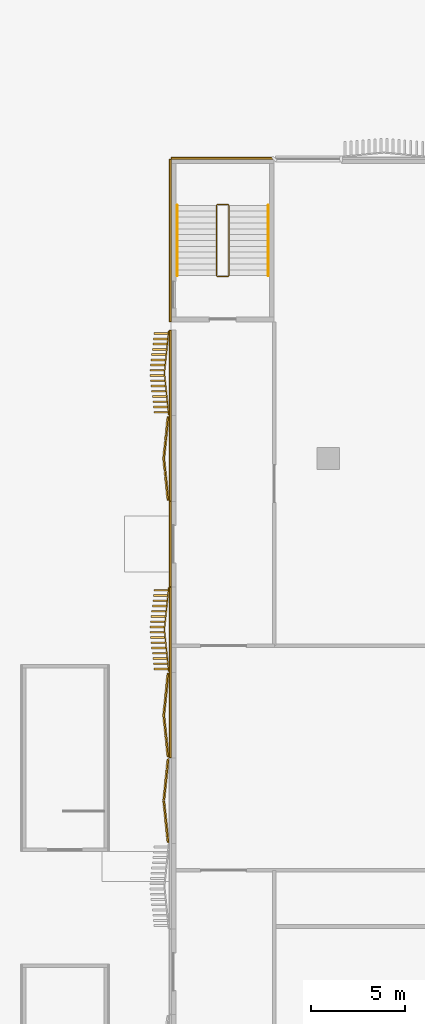
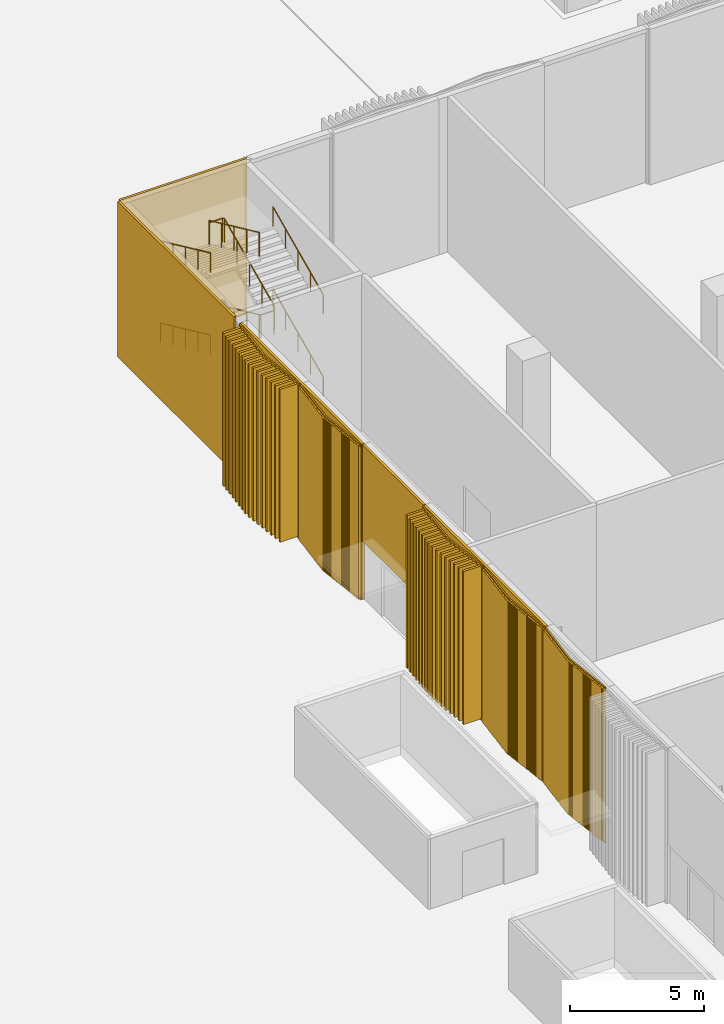
# One storey, part 33 of 41: 10 coverings, 5 railings.
"""IFC4 building model written with IfcOpenShell, lengths in metres."""

from ifc_helpers import new_model, si_unit, direction, frame, frame_2d, origin, origin_2d, place, context, subcontext, project, spatial, rectangle, circle, extrude, source, transform, mapped, material, layer, layer_set, type_object, element, save


model = new_model("IFC4")

# Units and contexts
model_context = context("Model", 3, precision=1e-05, world=origin(), true_north=direction((0.0, 1.0)))
body_context = subcontext(model_context, "Body", "Model", "MODEL_VIEW")
ifc_project = project(units=[si_unit("LENGTHUNIT", "METRE"), si_unit("AREAUNIT", "SQUARE_METRE"), si_unit("VOLUMEUNIT", "CUBIC_METRE"), si_unit("PLANEANGLEUNIT", "RADIAN"), si_unit("MASSUNIT", "GRAM", prefix="KILO")], contexts=[model_context])

# Site, building, storey
site_placement = place(None, origin())
site = spatial("IfcSite", under=ifc_project, at=site_placement, CompositionType="ELEMENT")
building_placement = place(site_placement, origin())
building = spatial("IfcBuilding", under=site, at=building_placement, Name="Tamra Quay Hotel Tower", CompositionType="ELEMENT")
storey_placement = place(building_placement, origin())
storey = spatial("IfcBuildingStorey", under=building, at=storey_placement, Name="L00", CompositionType="ELEMENT", Elevation=0.0)

# Coverings
ifc_material_1 = material(Name="Precast concrete M60 terracotta-coloured pierced relief", Category="masonry")
ifc_layer = layer(ifc_material_1, 0.10009765625)
ifc_layer_set = layer_set([ifc_layer], Name="PIERCED RELIEF PANEL 100")
covering_type_1 = type_object("IfcCoveringType", Name="PIERCED RELIEF PANEL 100", PredefinedType="CLADDING", material=ifc_layer_set)
covering_1_placement = place(storey_placement, frame((-89.14990234375, 18.28564453125, 0.0), z_axis=(0.0, 0.0, 1.0), x_axis=(0.0, -1.0, 0.0)))
element("IfcCovering", 1, at=covering_1_placement, inside=storey, type_object=covering_type_1, Name="Relief panel L00.W.00", PredefinedType="CLADDING", context=body_context, shape_type="SweptSolid", body=[
    extrude(rectangle(XDim=9.122802734375, YDim=0.10009765625, at=origin_2d()), origin(), (0.0, 0.0, 1.0), 7.10009765625),
])
covering_2_placement = place(storey_placement, frame((-89.14990234375, 11.428466796875, 2.699951171875), z_axis=(0.0, 0.0, 1.0), x_axis=(0.0, -1.0, 0.0)))
element("IfcCovering", 2, at=covering_2_placement, inside=storey, type_object=covering_type_1, Name="Relief panel L00.W.02", PredefinedType="CLADDING", context=body_context, shape_type="SweptSolid", body=[
    extrude(rectangle(XDim=4.551513671875, YDim=0.10009765625, at=origin_2d()), origin(), (0.0, 0.0, 1.0), 4.39990234375),
])
covering_3_placement = place(storey_placement, frame((-89.14990234375, 4.571533203125, 0.0), z_axis=(0.0, 0.0, 1.0), x_axis=(0.0, -1.0, 0.0)))
element("IfcCovering", 3, at=covering_3_placement, inside=storey, type_object=covering_type_1, Name="Relief panel L00.W.03", PredefinedType="CLADDING", context=body_context, shape_type="SweptSolid", body=[
    extrude(rectangle(XDim=9.122802734375, YDim=0.10009765625, at=origin_2d()), origin(), (0.0, 0.0, 1.0), 7.10009765625),
])
covering_4_placement = place(storey_placement, frame((-86.35009765625, 32.050048828125, 0.0), z_axis=(0.0, 0.0, 1.0), x_axis=(-1.0, 0.0, 0.0)))
element("IfcCovering", 4, at=covering_4_placement, inside=storey, type_object=covering_type_1, Name="Relief panel L00.PS1.1", PredefinedType="CLADDING", context=body_context, shape_type="SweptSolid", body=[
    extrude(rectangle(XDim=5.47998046875, YDim=0.10009765625, at=origin_2d()), origin(), (0.0, 0.0, 1.0), 7.10009765625),
])
covering_5_placement = place(storey_placement, frame((-89.14990234375, 27.64990234375, 0.0), z_axis=(0.0, 0.0, 1.0), x_axis=(0.0, -1.0, 0.0)))
element("IfcCovering", 5, at=covering_5_placement, inside=storey, type_object=covering_type_1, Name="Relief panel L00.PS1.2", PredefinedType="CLADDING", context=body_context, shape_type="SweptSolid", body=[
    extrude(rectangle(XDim=8.679931640625, YDim=0.10009765625, at=origin_2d()), origin(), (0.0, 0.0, 1.0), 7.10009765625),
])

# Railings
ifc_material_2 = material(Name="Stair guard 1100")
railing_type_1 = type_object("IfcRailingType", Name="Stair guard 1100", PredefinedType="GUARDRAIL", material=ifc_material_2)
railing_1_placement = place(storey_placement, frame((-86.6298828125, 25.719970703125, 0.0)))
element("IfcRailing", 6, at=railing_1_placement, inside=storey, type_object=railing_type_1, Name="GR", PredefinedType="GUARDRAIL", context=body_context, shape_type="SweptSolid", body=[
    extrude(circle(Radius=0.02392578125, at=origin_2d()), frame((0.0, 0.0, 1.076171875), z_axis=(1.0, 0.0, 0.0), x_axis=(0.0, 1.0, 0.0)), (0.0, 0.0, 1.0), 0.559814453125),
    extrude(circle(Radius=0.02392578125, at=origin_2d()), frame((0.559814453125, 0.0, 1.076171875), z_axis=(0.311418193813, 0.311418193813, 0.897795866066), x_axis=(-0.707106781187, 0.707106781187, 0.0)), (0.0, 0.0, 1.0), 0.16064453125),
    extrude(circle(Radius=0.02392578125, at=origin_2d()), frame((0.60986328125, 0.050048828125, 1.22021484375), z_axis=(0.0, 0.908213217456, 0.418507767716), x_axis=(-1.0, 0.0, 0.0)), (0.0, 0.0, 1.0), 4.135498046875),
    extrude(circle(Radius=0.02392578125, at=origin_2d()), frame((0.60986328125, 3.805908203125, 2.951171875), z_axis=(-0.707106781187, 0.707106781187, 0.0), x_axis=(-0.707106781187, -0.707106781187, 0.0)), (0.0, 0.0, 1.0), 0.07080078125),
    extrude(circle(Radius=0.02392578125, at=origin_2d()), frame((0.559814453125, 3.85595703125, 2.951171875), z_axis=(-1.0, 0.0, 0.0), x_axis=(0.0, -1.0, 0.0)), (0.0, 0.0, 1.0), 0.559814453125),
    extrude(circle(Radius=0.02392578125, at=origin_2d()), frame((0.0, 3.85595703125, 2.951171875), z_axis=(-0.311418193813, -0.311418193813, 0.897795866066), x_axis=(0.707106781187, -0.707106781187, 0.0)), (0.0, 0.0, 1.0), 0.16064453125),
    extrude(circle(Radius=0.02392578125, at=origin_2d()), frame((-0.050048828125, 3.805908203125, 3.09521484375), z_axis=(0.0, -0.908213217456, 0.418507767716), x_axis=(1.0, 0.0, 0.0)), (0.0, 0.0, 1.0), 4.135498046875),
    extrude(circle(Radius=0.02392578125, at=origin_2d()), frame((-0.050048828125, 0.050048828125, 4.826171875), z_axis=(0.707106781187, -0.707106781187, 0.0), x_axis=(0.707106781187, 0.707106781187, 0.0)), (0.0, 0.0, 1.0), 0.07080078125),
    extrude(circle(Radius=0.02392578125, at=origin_2d()), frame((0.0, 0.0, 4.826171875), z_axis=(1.0, 0.0, 0.0), x_axis=(0.0, 1.0, 0.0)), (0.0, 0.0, 1.0), 0.559814453125),
    extrude(circle(Radius=0.02392578125, at=origin_2d()), frame((0.559814453125, 0.0, 4.826171875), z_axis=(0.311418193813, 0.311418193813, 0.897795866066), x_axis=(-0.707106781187, 0.707106781187, 0.0)), (0.0, 0.0, 1.0), 0.16064453125),
    extrude(circle(Radius=0.02392578125, at=origin_2d()), frame((0.60986328125, 0.050048828125, 4.97021484375), z_axis=(0.0, 0.908213217456, 0.418507767716), x_axis=(-1.0, 0.0, 0.0)), (0.0, 0.0, 1.0), 4.135498046875),
    extrude(circle(Radius=0.02392578125, at=origin_2d()), frame((0.60986328125, 3.805908203125, 6.701171875), z_axis=(-0.707106781187, 0.707106781187, 0.0), x_axis=(-0.707106781187, -0.707106781187, 0.0)), (0.0, 0.0, 1.0), 0.07080078125),
    extrude(circle(Radius=0.02392578125, at=origin_2d()), frame((0.559814453125, 3.85595703125, 6.701171875), z_axis=(-1.0, 0.0, 0.0), x_axis=(0.0, -1.0, 0.0)), (0.0, 0.0, 1.0), 0.559814453125),
    extrude(circle(Radius=0.02392578125, at=origin_2d()), frame((0.0, 3.85595703125, 6.701171875), z_axis=(-0.311418193813, -0.311418193813, 0.897795866066), x_axis=(0.707106781187, -0.707106781187, 0.0)), (0.0, 0.0, 1.0), 0.16064453125),
    extrude(circle(Radius=0.02392578125, at=origin_2d()), frame((-0.050048828125, 3.805908203125, 6.84521484375), z_axis=(0.0, -0.908213217456, 0.418507767716), x_axis=(1.0, 0.0, 0.0)), (0.0, 0.0, 1.0), 4.135498046875),
    extrude(circle(Radius=0.02099609375, at=origin_2d()), origin(), (0.0, 0.0, 1.0), 1.052001953125),
    extrude(circle(Radius=0.02099609375, at=origin_2d()), frame((0.559814453125, 0.0, 0.0)), (0.0, 0.0, 1.0), 1.052001953125),
    extrude(circle(Radius=0.02099609375, at=origin_2d()), frame((0.60986328125, 0.050048828125, 0.144287109375)), (0.0, 0.0, 1.0), 1.052001953125),
    extrude(circle(Radius=0.02099609375, at=origin_2d()), frame((0.60986328125, 0.989013671875, 0.576904296875)), (0.0, 0.0, 1.0), 1.052001953125),
    extrude(circle(Radius=0.02099609375, at=origin_2d()), frame((0.60986328125, 1.927978515625, 1.009765625)), (0.0, 0.0, 1.0), 1.052001953125),
    extrude(circle(Radius=0.02099609375, at=origin_2d()), frame((0.60986328125, 2.866943359375, 1.4423828125)), (0.0, 0.0, 1.0), 1.052001953125),
    extrude(circle(Radius=0.02099609375, at=origin_2d()), frame((0.60986328125, 3.805908203125, 1.875)), (0.0, 0.0, 1.0), 1.052001953125),
    extrude(circle(Radius=0.02099609375, at=origin_2d()), frame((0.559814453125, 3.85595703125, 1.875)), (0.0, 0.0, 1.0), 1.052001953125),
    extrude(circle(Radius=0.02099609375, at=origin_2d()), frame((0.0, 3.85595703125, 1.875)), (0.0, 0.0, 1.0), 1.052001953125),
    extrude(circle(Radius=0.02099609375, at=origin_2d()), frame((-0.050048828125, 3.805908203125, 2.019287109375)), (0.0, 0.0, 1.0), 1.052001953125),
    extrude(circle(Radius=0.02099609375, at=origin_2d()), frame((-0.050048828125, 2.866943359375, 2.451904296875)), (0.0, 0.0, 1.0), 1.052001953125),
    extrude(circle(Radius=0.02099609375, at=origin_2d()), frame((-0.050048828125, 1.927978515625, 2.884765625)), (0.0, 0.0, 1.0), 1.052001953125),
    extrude(circle(Radius=0.02099609375, at=origin_2d()), frame((-0.050048828125, 0.989013671875, 3.3173828125)), (0.0, 0.0, 1.0), 1.052001953125),
    extrude(circle(Radius=0.02099609375, at=origin_2d()), frame((-0.050048828125, 0.050048828125, 3.75)), (0.0, 0.0, 1.0), 1.052001953125),
    extrude(circle(Radius=0.02099609375, at=origin_2d()), frame((0.0, 0.0, 3.75)), (0.0, 0.0, 1.0), 1.052001953125),
    extrude(circle(Radius=0.02099609375, at=origin_2d()), frame((0.559814453125, 0.0, 3.75)), (0.0, 0.0, 1.0), 1.052001953125),
    extrude(circle(Radius=0.02099609375, at=origin_2d()), frame((0.60986328125, 0.050048828125, 3.894287109375)), (0.0, 0.0, 1.0), 1.052001953125),
    extrude(circle(Radius=0.02099609375, at=origin_2d()), frame((0.60986328125, 0.989013671875, 4.326904296875)), (0.0, 0.0, 1.0), 1.052001953125),
    extrude(circle(Radius=0.02099609375, at=origin_2d()), frame((0.60986328125, 1.927978515625, 4.759765625)), (0.0, 0.0, 1.0), 1.052001953125),
    extrude(circle(Radius=0.02099609375, at=origin_2d()), frame((0.60986328125, 2.866943359375, 5.1923828125)), (0.0, 0.0, 1.0), 1.052001953125),
    extrude(circle(Radius=0.02099609375, at=origin_2d()), frame((0.60986328125, 3.805908203125, 5.625)), (0.0, 0.0, 1.0), 1.052001953125),
    extrude(circle(Radius=0.02099609375, at=origin_2d()), frame((0.559814453125, 3.85595703125, 5.625)), (0.0, 0.0, 1.0), 1.052001953125),
    extrude(circle(Radius=0.02099609375, at=origin_2d()), frame((0.0, 3.85595703125, 5.625)), (0.0, 0.0, 1.0), 1.052001953125),
    extrude(circle(Radius=0.02099609375, at=origin_2d()), frame((-0.050048828125, 3.805908203125, 5.769287109375)), (0.0, 0.0, 1.0), 1.052001953125),
    extrude(circle(Radius=0.02099609375, at=origin_2d()), frame((-0.050048828125, 2.866943359375, 6.201904296875)), (0.0, 0.0, 1.0), 1.052001953125),
    extrude(circle(Radius=0.02099609375, at=origin_2d()), frame((-0.050048828125, 1.927978515625, 6.634765625)), (0.0, 0.0, 1.0), 1.052001953125),
    extrude(circle(Radius=0.02099609375, at=origin_2d()), frame((-0.050048828125, 0.989013671875, 7.0673828125)), (0.0, 0.0, 1.0), 1.052001953125),
    extrude(circle(Radius=0.02099609375, at=origin_2d()), frame((-0.050048828125, 0.050048828125, 7.5)), (0.0, 0.0, 1.0), 1.052001953125),
])
ifc_material_3 = material(Name="Stair handrail 900")
railing_type_2 = type_object("IfcRailingType", Name="Stair handrail 900", PredefinedType="HANDRAIL", material=ifc_material_3)
railing_2_placement = place(storey_placement, frame((-83.919921875, 25.77001953125, 0.144287109375)))
element("IfcRailing", 7, at=railing_2_placement, inside=storey, type_object=railing_type_2, Name="HR", PredefinedType="HANDRAIL", context=body_context, shape_type="SweptSolid", body=[
    extrude(circle(Radius=0.02392578125, at=origin_2d()), frame((0.0, 0.0, 0.8759765625), z_axis=(0.0, 0.908213217456, 0.418507767716), x_axis=(-1.0, 0.0, 0.0)), (0.0, 0.0, 1.0), 4.135498046875),
    extrude(circle(Radius=0.02099609375, at=origin_2d()), origin(), (0.0, 0.0, 1.0), 0.851806640625),
    extrude(circle(Radius=0.02099609375, at=origin_2d()), frame((0.0, 0.93896484375, 0.4326171875)), (0.0, 0.0, 1.0), 0.851806640625),
    extrude(circle(Radius=0.02099609375, at=origin_2d()), frame((0.0, 1.8779296875, 0.865234375)), (0.0, 0.0, 1.0), 0.851806640625),
    extrude(circle(Radius=0.02099609375, at=origin_2d()), frame((0.0, 2.81689453125, 1.298095703125)), (0.0, 0.0, 1.0), 0.851806640625),
    extrude(circle(Radius=0.02099609375, at=origin_2d()), frame((0.0, 3.755859375, 1.730712890625)), (0.0, 0.0, 1.0), 0.851806640625),
])
railing_3_placement = place(storey_placement, frame((-88.780029296875, 29.52587890625, 2.019287109375)))
element("IfcRailing", 8, at=railing_3_placement, inside=storey, type_object=railing_type_2, Name="HR", PredefinedType="HANDRAIL", context=body_context, shape_type="SweptSolid", body=[
    extrude(circle(Radius=0.02392578125, at=origin_2d()), frame((0.0, 0.0, 0.8759765625), z_axis=(0.0, -0.908213217456, 0.418507767716), x_axis=(1.0, 0.0, 0.0)), (0.0, 0.0, 1.0), 4.135498046875),
    extrude(circle(Radius=0.02099609375, at=origin_2d()), origin(), (0.0, 0.0, 1.0), 0.851806640625),
    extrude(circle(Radius=0.02099609375, at=origin_2d()), frame((0.0, -0.93896484375, 0.4326171875)), (0.0, 0.0, 1.0), 0.851806640625),
    extrude(circle(Radius=0.02099609375, at=origin_2d()), frame((0.0, -1.8779296875, 0.865234375)), (0.0, 0.0, 1.0), 0.851806640625),
    extrude(circle(Radius=0.02099609375, at=origin_2d()), frame((0.0, -2.81689453125, 1.298095703125)), (0.0, 0.0, 1.0), 0.851806640625),
    extrude(circle(Radius=0.02099609375, at=origin_2d()), frame((0.0, -3.755859375, 1.730712890625)), (0.0, 0.0, 1.0), 0.851806640625),
])
railing_4_placement = place(storey_placement, frame((-83.919921875, 25.77001953125, 3.894287109375)))
element("IfcRailing", 9, at=railing_4_placement, inside=storey, type_object=railing_type_2, Name="HR", PredefinedType="HANDRAIL", context=body_context, shape_type="SweptSolid", body=[
    extrude(circle(Radius=0.02392578125, at=origin_2d()), frame((0.0, 0.0, 0.8759765625), z_axis=(0.0, 0.908213217456, 0.418507767716), x_axis=(-1.0, 0.0, 0.0)), (0.0, 0.0, 1.0), 4.135498046875),
    extrude(circle(Radius=0.02099609375, at=origin_2d()), origin(), (0.0, 0.0, 1.0), 0.851806640625),
    extrude(circle(Radius=0.02099609375, at=origin_2d()), frame((0.0, 0.93896484375, 0.4326171875)), (0.0, 0.0, 1.0), 0.851806640625),
    extrude(circle(Radius=0.02099609375, at=origin_2d()), frame((0.0, 1.8779296875, 0.865234375)), (0.0, 0.0, 1.0), 0.851806640625),
    extrude(circle(Radius=0.02099609375, at=origin_2d()), frame((0.0, 2.81689453125, 1.298095703125)), (0.0, 0.0, 1.0), 0.851806640625),
    extrude(circle(Radius=0.02099609375, at=origin_2d()), frame((0.0, 3.755859375, 1.730712890625)), (0.0, 0.0, 1.0), 0.851806640625),
])
railing_5_placement = place(storey_placement, frame((-88.780029296875, 29.52587890625, 5.769287109375)))
element("IfcRailing", 10, at=railing_5_placement, inside=storey, type_object=railing_type_2, Name="HR", PredefinedType="HANDRAIL", context=body_context, shape_type="SweptSolid", body=[
    extrude(circle(Radius=0.02392578125, at=origin_2d()), frame((0.0, 0.0, 0.8759765625), z_axis=(0.0, -0.908213217456, 0.418507767716), x_axis=(1.0, 0.0, 0.0)), (0.0, 0.0, 1.0), 4.135498046875),
    extrude(circle(Radius=0.02099609375, at=origin_2d()), origin(), (0.0, 0.0, 1.0), 0.851806640625),
    extrude(circle(Radius=0.02099609375, at=origin_2d()), frame((0.0, -0.93896484375, 0.4326171875)), (0.0, 0.0, 1.0), 0.851806640625),
    extrude(circle(Radius=0.02099609375, at=origin_2d()), frame((0.0, -1.8779296875, 0.865234375)), (0.0, 0.0, 1.0), 0.851806640625),
    extrude(circle(Radius=0.02099609375, at=origin_2d()), frame((0.0, -2.81689453125, 1.298095703125)), (0.0, 0.0, 1.0), 0.851806640625),
    extrude(circle(Radius=0.02099609375, at=origin_2d()), frame((0.0, -3.755859375, 1.730712890625)), (0.0, 0.0, 1.0), 0.851806640625),
])

# Coverings
ifc_material_4 = material(Name="Terracotta baguette extruded", Category="masonry")
covering_type_2 = type_object("IfcCoveringType", Name="BAGUETTE SCREEN SW-DEEP H7100", PredefinedType="USERDEFINED", material=ifc_material_4)
shared_shape_1 = source(origin(), body_context, "Body", "SweptSolid", [
    extrude(rectangle(XDim=2.2548828125, YDim=0.06005859375, at=frame_2d((1.12744140625, 0.030029296875))), frame((-2.248779296875, -0.0576171875, -0.1201171875), z_axis=(0.0, 0.0, 1.0), x_axis=(0.994521895368, -0.104528463268, 0.0)), (0.0, 0.0, 1.0), 0.1201171875),
    extrude(rectangle(XDim=2.2548828125, YDim=0.06005859375, at=frame_2d((1.12744140625, 0.030029296875))), frame((-2.248779296875, -0.0576171875, -7.10009765625), z_axis=(0.0, 0.0, 1.0), x_axis=(0.994521895368, -0.104528463268, 0.0)), (0.0, 0.0, 1.0), 0.1201171875),
    extrude(rectangle(XDim=0.10009765625, YDim=0.780029296875, at=frame_2d((0.050048828125, 0.39013671875))), frame((-2.15234375, -0.82275390625, -7.0400390625)), (0.0, 0.0, 1.0), 6.97998046875),
    extrude(rectangle(XDim=0.10009765625, YDim=0.780029296875, at=frame_2d((0.050048828125, 0.39013671875))), frame((-1.8720703125, -0.852294921875, -7.0400390625)), (0.0, 0.0, 1.0), 6.97998046875),
    extrude(rectangle(XDim=0.10009765625, YDim=0.780029296875, at=frame_2d((0.050048828125, 0.39013671875))), frame((-1.591796875, -0.881591796875, -7.0400390625)), (0.0, 0.0, 1.0), 6.97998046875),
    extrude(rectangle(XDim=0.10009765625, YDim=0.780029296875, at=frame_2d((0.050048828125, 0.39013671875))), frame((-1.3115234375, -0.9111328125, -7.0400390625)), (0.0, 0.0, 1.0), 6.97998046875),
    extrude(rectangle(XDim=0.10009765625, YDim=0.780029296875, at=frame_2d((0.050048828125, 0.39013671875))), frame((-1.031005859375, -0.940673828125, -7.0400390625)), (0.0, 0.0, 1.0), 6.97998046875),
    extrude(rectangle(XDim=0.10009765625, YDim=0.780029296875, at=frame_2d((0.050048828125, 0.39013671875))), frame((-0.750732421875, -0.969970703125, -7.0400390625)), (0.0, 0.0, 1.0), 6.97998046875),
    extrude(rectangle(XDim=0.10009765625, YDim=0.780029296875, at=frame_2d((0.050048828125, 0.39013671875))), frame((-0.470458984375, -0.99951171875, -7.0400390625)), (0.0, 0.0, 1.0), 6.97998046875),
    extrude(rectangle(XDim=0.10009765625, YDim=0.780029296875, at=frame_2d((0.050048828125, 0.39013671875))), frame((-0.190185546875, -1.029052734375, -7.0400390625)), (0.0, 0.0, 1.0), 6.97998046875),
    extrude(rectangle(XDim=2.2548828125, YDim=0.06005859375, at=frame_2d((1.12744140625, 0.030029296875))), frame((0.00634765625, -0.29345703125, -0.1201171875), z_axis=(0.0, 0.0, 1.0), x_axis=(0.994521895368, 0.104528463268, 0.0)), (0.0, 0.0, 1.0), 0.1201171875),
    extrude(rectangle(XDim=2.2548828125, YDim=0.06005859375, at=frame_2d((1.12744140625, 0.030029296875))), frame((0.00634765625, -0.29345703125, -7.10009765625), z_axis=(0.0, 0.0, 1.0), x_axis=(0.994521895368, 0.104528463268, 0.0)), (0.0, 0.0, 1.0), 0.1201171875),
    extrude(rectangle(XDim=0.10009765625, YDim=0.780029296875, at=frame_2d((0.050048828125, 0.39013671875))), frame((0.090087890625, -1.029052734375, -7.0400390625)), (0.0, 0.0, 1.0), 6.97998046875),
    extrude(rectangle(XDim=0.10009765625, YDim=0.780029296875, at=frame_2d((0.050048828125, 0.39013671875))), frame((0.370361328125, -0.99951171875, -7.0400390625)), (0.0, 0.0, 1.0), 6.97998046875),
    extrude(rectangle(XDim=0.10009765625, YDim=0.780029296875, at=frame_2d((0.050048828125, 0.39013671875))), frame((0.65087890625, -0.969970703125, -7.0400390625)), (0.0, 0.0, 1.0), 6.97998046875),
    extrude(rectangle(XDim=0.10009765625, YDim=0.780029296875, at=frame_2d((0.050048828125, 0.39013671875))), frame((0.93115234375, -0.940673828125, -7.0400390625)), (0.0, 0.0, 1.0), 6.97998046875),
    extrude(rectangle(XDim=0.10009765625, YDim=0.780029296875, at=frame_2d((0.050048828125, 0.39013671875))), frame((1.21142578125, -0.9111328125, -7.0400390625)), (0.0, 0.0, 1.0), 6.97998046875),
    extrude(rectangle(XDim=0.10009765625, YDim=0.780029296875, at=frame_2d((0.050048828125, 0.39013671875))), frame((1.49169921875, -0.881591796875, -7.0400390625)), (0.0, 0.0, 1.0), 6.97998046875),
    extrude(rectangle(XDim=0.10009765625, YDim=0.780029296875, at=frame_2d((0.050048828125, 0.39013671875))), frame((1.77197265625, -0.852294921875, -7.0400390625)), (0.0, 0.0, 1.0), 6.97998046875),
    extrude(rectangle(XDim=0.10009765625, YDim=0.780029296875, at=frame_2d((0.050048828125, 0.39013671875))), frame((2.05224609375, -0.82275390625, -7.0400390625)), (0.0, 0.0, 1.0), 6.97998046875),
])
for number, where, z_axis, x_axis, name in (
    (11, (-89.199951171875, 20.571533203125, 7.10009765625), (0.0, 0.0, 1.0), (0.0, -1.0, 0.0), "Baguette screen wing.L00.W.00"),
    (12, (-89.199951171875, 6.857177734375, 7.10009765625), (0.0, 0.0, 1.0), (0.0, -1.0, 0.0), "Baguette screen wing.L00.W.03"),
):
    element("IfcCovering", number, at=place(storey_placement, frame(where, z_axis=z_axis, x_axis=x_axis)), inside=storey, type_object=covering_type_2, Name=name, ObjectType="BAGUETTE SCREEN", PredefinedType="USERDEFINED", context=body_context, shape_type="MappedRepresentation", body=[
        mapped(shared_shape_1, transform((0.0, 0.0, 0.0), scale=1.0)),
    ])
covering_type_3 = type_object("IfcCoveringType", Name="BAGUETTE SCREEN SW-SHALLOW H7100", PredefinedType="USERDEFINED", material=ifc_material_4)
shared_shape_2 = source(origin(), body_context, "Body", "SweptSolid", [
    extrude(rectangle(XDim=2.2548828125, YDim=0.06005859375, at=frame_2d((1.12744140625, 0.030029296875))), frame((-2.248779296875, -0.0576171875, -0.1201171875), z_axis=(0.0, 0.0, 1.0), x_axis=(0.994521895368, -0.104528463268, 0.0)), (0.0, 0.0, 1.0), 0.1201171875),
    extrude(rectangle(XDim=2.2548828125, YDim=0.06005859375, at=frame_2d((1.12744140625, 0.030029296875))), frame((-2.248779296875, -0.0576171875, -7.10009765625), z_axis=(0.0, 0.0, 1.0), x_axis=(0.994521895368, -0.104528463268, 0.0)), (0.0, 0.0, 1.0), 0.1201171875),
    extrude(rectangle(XDim=0.094970703125, YDim=0.10009765625, at=frame_2d((0.04736328125, 0.050048828125))), frame((-2.2412109375, -0.133056640625, -7.0400390625)), (0.0, 0.0, 1.0), 6.97998046875),
    extrude(rectangle(XDim=0.094970703125, YDim=0.10009765625, at=frame_2d((0.04736328125, 0.050048828125))), frame((-2.143798828125, -0.143310546875, -7.0400390625)), (0.0, 0.0, 1.0), 6.97998046875),
    extrude(rectangle(XDim=0.094970703125, YDim=0.10009765625, at=frame_2d((0.04736328125, 0.050048828125))), frame((-2.046142578125, -0.153564453125, -7.0400390625)), (0.0, 0.0, 1.0), 6.97998046875),
    extrude(rectangle(XDim=0.094970703125, YDim=0.10009765625, at=frame_2d((0.04736328125, 0.050048828125))), frame((-1.94873046875, -0.163818359375, -7.0400390625)), (0.0, 0.0, 1.0), 6.97998046875),
    extrude(rectangle(XDim=0.094970703125, YDim=0.10009765625, at=frame_2d((0.04736328125, 0.050048828125))), frame((-1.851318359375, -0.174072265625, -7.0400390625)), (0.0, 0.0, 1.0), 6.97998046875),
    extrude(rectangle(XDim=0.094970703125, YDim=0.10009765625, at=frame_2d((0.04736328125, 0.050048828125))), frame((-1.753662109375, -0.184326171875, -7.0400390625)), (0.0, 0.0, 1.0), 6.97998046875),
    extrude(rectangle(XDim=0.094970703125, YDim=0.10009765625, at=frame_2d((0.04736328125, 0.050048828125))), frame((-1.65625, -0.194580078125, -7.0400390625)), (0.0, 0.0, 1.0), 6.97998046875),
    extrude(rectangle(XDim=0.094970703125, YDim=0.10009765625, at=frame_2d((0.04736328125, 0.050048828125))), frame((-1.558837890625, -0.204833984375, -7.0400390625)), (0.0, 0.0, 1.0), 6.97998046875),
    extrude(rectangle(XDim=0.094970703125, YDim=0.10009765625, at=frame_2d((0.04736328125, 0.050048828125))), frame((-1.461181640625, -0.215087890625, -7.0400390625)), (0.0, 0.0, 1.0), 6.97998046875),
    extrude(rectangle(XDim=0.094970703125, YDim=0.10009765625, at=frame_2d((0.04736328125, 0.050048828125))), frame((-1.36376953125, -0.225341796875, -7.0400390625)), (0.0, 0.0, 1.0), 6.97998046875),
    extrude(rectangle(XDim=0.094970703125, YDim=0.10009765625, at=frame_2d((0.04736328125, 0.050048828125))), frame((-1.266357421875, -0.235595703125, -7.0400390625)), (0.0, 0.0, 1.0), 6.97998046875),
    extrude(rectangle(XDim=0.094970703125, YDim=0.10009765625, at=frame_2d((0.04736328125, 0.050048828125))), frame((-1.168701171875, -0.245849609375, -7.0400390625)), (0.0, 0.0, 1.0), 6.97998046875),
    extrude(rectangle(XDim=0.094970703125, YDim=0.10009765625, at=frame_2d((0.04736328125, 0.050048828125))), frame((-1.0712890625, -0.256103515625, -7.0400390625)), (0.0, 0.0, 1.0), 6.97998046875),
    extrude(rectangle(XDim=0.094970703125, YDim=0.10009765625, at=frame_2d((0.04736328125, 0.050048828125))), frame((-0.9736328125, -0.266357421875, -7.0400390625)), (0.0, 0.0, 1.0), 6.97998046875),
    extrude(rectangle(XDim=0.094970703125, YDim=0.10009765625, at=frame_2d((0.04736328125, 0.050048828125))), frame((-0.876220703125, -0.276611328125, -7.0400390625)), (0.0, 0.0, 1.0), 6.97998046875),
    extrude(rectangle(XDim=0.094970703125, YDim=0.10009765625, at=frame_2d((0.04736328125, 0.050048828125))), frame((-0.77880859375, -0.286865234375, -7.0400390625)), (0.0, 0.0, 1.0), 6.97998046875),
    extrude(rectangle(XDim=0.094970703125, YDim=0.10009765625, at=frame_2d((0.04736328125, 0.050048828125))), frame((-0.68115234375, -0.297119140625, -7.0400390625)), (0.0, 0.0, 1.0), 6.97998046875),
    extrude(rectangle(XDim=0.094970703125, YDim=0.10009765625, at=frame_2d((0.04736328125, 0.050048828125))), frame((-0.583740234375, -0.307373046875, -7.0400390625)), (0.0, 0.0, 1.0), 6.97998046875),
    extrude(rectangle(XDim=0.094970703125, YDim=0.10009765625, at=frame_2d((0.04736328125, 0.050048828125))), frame((-0.486328125, -0.317626953125, -7.0400390625)), (0.0, 0.0, 1.0), 6.97998046875),
    extrude(rectangle(XDim=0.094970703125, YDim=0.10009765625, at=frame_2d((0.04736328125, 0.050048828125))), frame((-0.388671875, -0.327880859375, -7.0400390625)), (0.0, 0.0, 1.0), 6.97998046875),
    extrude(rectangle(XDim=0.094970703125, YDim=0.10009765625, at=frame_2d((0.04736328125, 0.050048828125))), frame((-0.291259765625, -0.338134765625, -7.0400390625)), (0.0, 0.0, 1.0), 6.97998046875),
    extrude(rectangle(XDim=0.094970703125, YDim=0.10009765625, at=frame_2d((0.04736328125, 0.050048828125))), frame((-0.19384765625, -0.348388671875, -7.0400390625)), (0.0, 0.0, 1.0), 6.97998046875),
    extrude(rectangle(XDim=0.094970703125, YDim=0.10009765625, at=frame_2d((0.04736328125, 0.050048828125))), frame((-0.09619140625, -0.358642578125, -7.0400390625)), (0.0, 0.0, 1.0), 6.97998046875),
    extrude(rectangle(XDim=2.2548828125, YDim=0.06005859375, at=frame_2d((1.12744140625, 0.030029296875))), frame((0.00634765625, -0.29345703125, -0.1201171875), z_axis=(0.0, 0.0, 1.0), x_axis=(0.994521895368, 0.104528463268, 0.0)), (0.0, 0.0, 1.0), 0.1201171875),
    extrude(rectangle(XDim=2.2548828125, YDim=0.06005859375, at=frame_2d((1.12744140625, 0.030029296875))), frame((0.00634765625, -0.29345703125, -7.10009765625), z_axis=(0.0, 0.0, 1.0), x_axis=(0.994521895368, 0.104528463268, 0.0)), (0.0, 0.0, 1.0), 0.1201171875),
    extrude(rectangle(XDim=0.094970703125, YDim=0.10009765625, at=frame_2d((0.04736328125, 0.050048828125))), frame((0.001220703125, -0.358642578125, -7.0400390625)), (0.0, 0.0, 1.0), 6.97998046875),
    extrude(rectangle(XDim=0.094970703125, YDim=0.10009765625, at=frame_2d((0.04736328125, 0.050048828125))), frame((0.0986328125, -0.348388671875, -7.0400390625)), (0.0, 0.0, 1.0), 6.97998046875),
    extrude(rectangle(XDim=0.094970703125, YDim=0.10009765625, at=frame_2d((0.04736328125, 0.050048828125))), frame((0.1962890625, -0.338134765625, -7.0400390625)), (0.0, 0.0, 1.0), 6.97998046875),
    extrude(rectangle(XDim=0.094970703125, YDim=0.10009765625, at=frame_2d((0.04736328125, 0.050048828125))), frame((0.293701171875, -0.327880859375, -7.0400390625)), (0.0, 0.0, 1.0), 6.97998046875),
    extrude(rectangle(XDim=0.094970703125, YDim=0.10009765625, at=frame_2d((0.04736328125, 0.050048828125))), frame((0.391357421875, -0.317626953125, -7.0400390625)), (0.0, 0.0, 1.0), 6.97998046875),
    extrude(rectangle(XDim=0.094970703125, YDim=0.10009765625, at=frame_2d((0.04736328125, 0.050048828125))), frame((0.48876953125, -0.307373046875, -7.0400390625)), (0.0, 0.0, 1.0), 6.97998046875),
    extrude(rectangle(XDim=0.094970703125, YDim=0.10009765625, at=frame_2d((0.04736328125, 0.050048828125))), frame((0.586181640625, -0.297119140625, -7.0400390625)), (0.0, 0.0, 1.0), 6.97998046875),
    extrude(rectangle(XDim=0.094970703125, YDim=0.10009765625, at=frame_2d((0.04736328125, 0.050048828125))), frame((0.683837890625, -0.286865234375, -7.0400390625)), (0.0, 0.0, 1.0), 6.97998046875),
    extrude(rectangle(XDim=0.094970703125, YDim=0.10009765625, at=frame_2d((0.04736328125, 0.050048828125))), frame((0.78125, -0.276611328125, -7.0400390625)), (0.0, 0.0, 1.0), 6.97998046875),
    extrude(rectangle(XDim=0.094970703125, YDim=0.10009765625, at=frame_2d((0.04736328125, 0.050048828125))), frame((0.878662109375, -0.266357421875, -7.0400390625)), (0.0, 0.0, 1.0), 6.97998046875),
    extrude(rectangle(XDim=0.094970703125, YDim=0.10009765625, at=frame_2d((0.04736328125, 0.050048828125))), frame((0.976318359375, -0.256103515625, -7.0400390625)), (0.0, 0.0, 1.0), 6.97998046875),
    extrude(rectangle(XDim=0.094970703125, YDim=0.10009765625, at=frame_2d((0.04736328125, 0.050048828125))), frame((1.07373046875, -0.245849609375, -7.0400390625)), (0.0, 0.0, 1.0), 6.97998046875),
    extrude(rectangle(XDim=0.094970703125, YDim=0.10009765625, at=frame_2d((0.04736328125, 0.050048828125))), frame((1.171142578125, -0.235595703125, -7.0400390625)), (0.0, 0.0, 1.0), 6.97998046875),
    extrude(rectangle(XDim=0.094970703125, YDim=0.10009765625, at=frame_2d((0.04736328125, 0.050048828125))), frame((1.268798828125, -0.225341796875, -7.0400390625)), (0.0, 0.0, 1.0), 6.97998046875),
    extrude(rectangle(XDim=0.094970703125, YDim=0.10009765625, at=frame_2d((0.04736328125, 0.050048828125))), frame((1.3662109375, -0.215087890625, -7.0400390625)), (0.0, 0.0, 1.0), 6.97998046875),
    extrude(rectangle(XDim=0.094970703125, YDim=0.10009765625, at=frame_2d((0.04736328125, 0.050048828125))), frame((1.4638671875, -0.204833984375, -7.0400390625)), (0.0, 0.0, 1.0), 6.97998046875),
    extrude(rectangle(XDim=0.094970703125, YDim=0.10009765625, at=frame_2d((0.04736328125, 0.050048828125))), frame((1.561279296875, -0.194580078125, -7.0400390625)), (0.0, 0.0, 1.0), 6.97998046875),
    extrude(rectangle(XDim=0.094970703125, YDim=0.10009765625, at=frame_2d((0.04736328125, 0.050048828125))), frame((1.65869140625, -0.184326171875, -7.0400390625)), (0.0, 0.0, 1.0), 6.97998046875),
    extrude(rectangle(XDim=0.094970703125, YDim=0.10009765625, at=frame_2d((0.04736328125, 0.050048828125))), frame((1.75634765625, -0.174072265625, -7.0400390625)), (0.0, 0.0, 1.0), 6.97998046875),
    extrude(rectangle(XDim=0.094970703125, YDim=0.10009765625, at=frame_2d((0.04736328125, 0.050048828125))), frame((1.853759765625, -0.163818359375, -7.0400390625)), (0.0, 0.0, 1.0), 6.97998046875),
    extrude(rectangle(XDim=0.094970703125, YDim=0.10009765625, at=frame_2d((0.04736328125, 0.050048828125))), frame((1.951171875, -0.153564453125, -7.0400390625)), (0.0, 0.0, 1.0), 6.97998046875),
    extrude(rectangle(XDim=0.094970703125, YDim=0.10009765625, at=frame_2d((0.04736328125, 0.050048828125))), frame((2.048828125, -0.143310546875, -7.0400390625)), (0.0, 0.0, 1.0), 6.97998046875),
    extrude(rectangle(XDim=0.094970703125, YDim=0.10009765625, at=frame_2d((0.04736328125, 0.050048828125))), frame((2.146240234375, -0.133056640625, -7.0400390625)), (0.0, 0.0, 1.0), 6.97998046875),
])
for number, where, z_axis, x_axis, name in (
    (13, (-89.199951171875, 16.0, 7.10009765625), (0.0, 0.0, 1.0), (0.0, -1.0, 0.0), "Baguette screen wing.L00.W.01"),
    (14, (-89.199951171875, 2.28564453125, 7.10009765625), (0.0, 0.0, 1.0), (0.0, -1.0, 0.0), "Baguette screen wing.L00.W.04"),
    (15, (-89.199951171875, -2.28564453125, 7.10009765625), (0.0, 0.0, 1.0), (0.0, -1.0, 0.0), "Baguette screen wing.L00.W.05"),
):
    element("IfcCovering", number, at=place(storey_placement, frame(where, z_axis=z_axis, x_axis=x_axis)), inside=storey, type_object=covering_type_3, Name=name, ObjectType="BAGUETTE SCREEN", PredefinedType="USERDEFINED", context=body_context, shape_type="MappedRepresentation", body=[
        mapped(shared_shape_2, transform((0.0, 0.0, 0.0), scale=1.0)),
    ])

save(model, "model.ifc")
